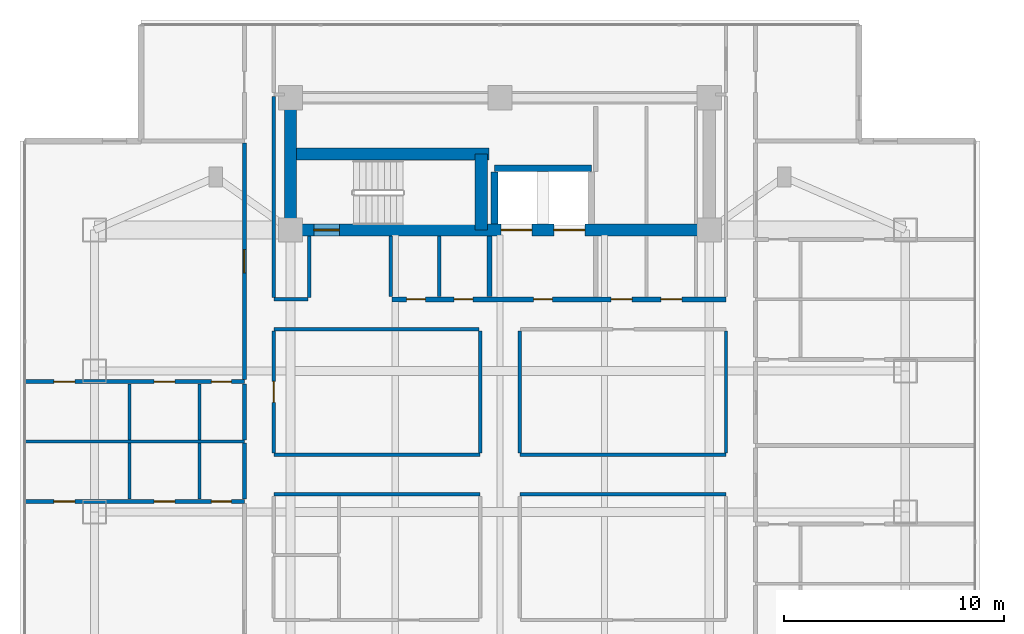
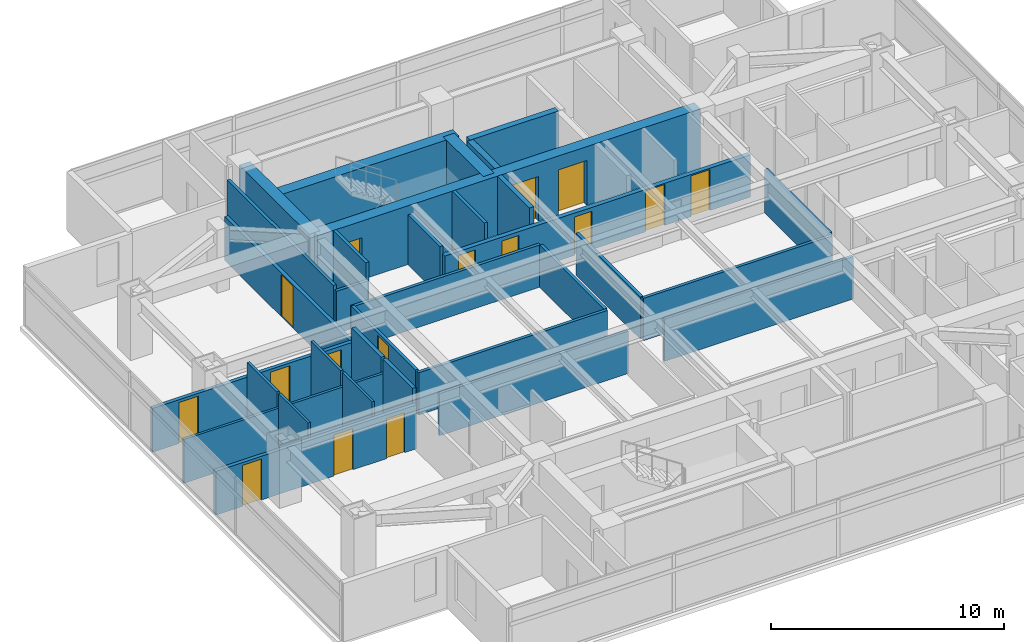
# One storey, part 13 of 24: 32 walls, 16 doors, 16 openings.
"""IFC4 building model written with IfcOpenShell, lengths in metres."""

from ifc_helpers import new_model, si_unit, direction, frame, frame_2d, origin, place, context, subcontext, project, spatial, rectangle, extrude, material, layer, layer_set, type_object, element, fill, save


model = new_model("IFC4")

# Units and contexts
model_context = context("Model", 3, precision=1e-05, world=origin(), true_north=direction((0.0, 1.0)))
body_context = subcontext(model_context, "Body", "Model", "MODEL_VIEW")
ifc_project = project(units=[si_unit("LENGTHUNIT", "METRE"), si_unit("AREAUNIT", "SQUARE_METRE"), si_unit("VOLUMEUNIT", "CUBIC_METRE"), si_unit("PLANEANGLEUNIT", "RADIAN"), si_unit("MASSUNIT", "GRAM", prefix="KILO")], contexts=[model_context])

# Site, building, storey
site_placement = place(None, origin())
site = spatial("IfcSite", under=ifc_project, at=site_placement, CompositionType="ELEMENT")
building_placement = place(site_placement, origin())
building = spatial("IfcBuilding", under=site, at=building_placement, Name="Mirazonda Arch Towers", CompositionType="ELEMENT")
storey_placement = place(building_placement, frame((0.0, 0.0, 137.89990234375)))
storey = spatial("IfcBuildingStorey", under=building, at=storey_placement, Name="L39", CompositionType="ELEMENT", Elevation=137.89990234375)

# Wall
ifc_material_1 = material(Name="Concrete C50/60", Category="concrete")
ifc_layer_1 = layer(ifc_material_1, 0.550048828125, Name="WALL-CORE-550")
ifc_layer_set_1 = layer_set([ifc_layer_1], Name="Concrete C50/60")
wall_type_1 = type_object("IfcWallType", Name="WALL-CORE-550", PredefinedType="SHEAR", material=ifc_layer_set_1)
wall_1_placement = place(storey_placement, frame((11.0, 37.60009765625, 0.0), z_axis=(0.0, 0.0, 1.0), x_axis=(0.0, 1.0, 0.0)))
element("IfcWall", 1, at=wall_1_placement, inside=storey, type_object=wall_type_1, Name="L39 T1N-W Core Shear Wall", PredefinedType="SHEAR", context=body_context, shape_type="SweptSolid", body=[
    extrude(rectangle(XDim=6.0, YDim=0.550048828125, at=frame_2d((3.0, 0.0))), origin(), (0.0, 0.0, 1.0), 3.080078125),
])

# Wall, openings, doors
wall_2_placement = place(storey_placement, frame((11.0, 37.60009765625, 0.0), z_axis=(0.0, 0.0, 1.0), x_axis=(1.0, 0.0, 0.0)))
wall_2 = element("IfcWall", 2, at=wall_2_placement, inside=storey, type_object=wall_type_1, Name="L39 T1N-S Core Shear Wall", PredefinedType="SHEAR", context=body_context, shape_type="SweptSolid", body=[
    extrude(rectangle(XDim=19.0, YDim=0.550048828125, at=frame_2d((9.5, 0.0))), origin(), (0.0, 0.0, 1.0), 3.080078125),
])
opening_1_placement = place(wall_2_placement, frame((1.06005859375, 0.0, 0.0)))
opening_1 = element("IfcOpeningElement", 3, at=opening_1_placement, cuts=wall_2, Name="Opening DR-135", PredefinedType="OPENING", context=body_context, shape_type="SweptSolid", body=[
    extrude(rectangle(XDim=1.14990234375, YDim=2.199951171875, at=frame_2d((0.574951171875, 1.10009765625))), frame((0.0, 0.284912109375, 0.0), z_axis=(0.0, -1.0, 0.0), x_axis=(1.0, 0.0, 0.0)), (0.0, 0.0, 1.0), 0.570068359375),
])
opening_2_placement = place(wall_2_placement, frame((9.550048828125, 0.0, 0.0)))
opening_2 = element("IfcOpeningElement", 4, at=opening_2_placement, cuts=wall_2, Name="Opening LD-112", PredefinedType="OPENING", context=body_context, shape_type="SweptSolid", body=[
    extrude(rectangle(XDim=1.39990234375, YDim=2.35009765625, at=frame_2d((0.699951171875, 1.175048828125))), frame((0.0, 0.284912109375, 0.0), z_axis=(0.0, -1.0, 0.0), x_axis=(1.0, 0.0, 0.0)), (0.0, 0.0, 1.0), 0.570068359375),
])
opening_3_placement = place(wall_2_placement, frame((11.949951171875, 0.0, 0.0)))
opening_3 = element("IfcOpeningElement", 5, at=opening_3_placement, cuts=wall_2, Name="Opening LD-112", PredefinedType="OPENING", context=body_context, shape_type="SweptSolid", body=[
    extrude(rectangle(XDim=1.39990234375, YDim=2.35009765625, at=frame_2d((0.699951171875, 1.175048828125))), frame((0.0, 0.284912109375, 0.0), z_axis=(0.0, -1.0, 0.0), x_axis=(1.0, 0.0, 0.0)), (0.0, 0.0, 1.0), 0.570068359375),
])
ifc_material_2 = material(Name="Architectural Brushed Steel S355", Category="steel")
door_type_1 = type_object("IfcDoorType", Name="DOOR-LIFT-FFL-1400", OperationType="NOTDEFINED", PredefinedType="DOOR", material=ifc_material_2)
door_1_placement = place(opening_2_placement, origin())
door_1 = element("IfcDoor", 6, at=door_1_placement, inside=storey, type_object=door_type_1, Name="L39 Lift Landing Sliding Door FFL-T1", OperationType="DOUBLE_DOOR_SLIDING", OverallHeight=2.35009765625, OverallWidth=1.39990234375, PredefinedType="DOOR", context=body_context, shape_type="SweptSolid", body=[
    extrude(rectangle(XDim=1.39990234375, YDim=2.35009765625, at=frame_2d((0.699951171875, 1.175048828125))), frame((0.0, 0.02490234375, 0.0), z_axis=(0.0, -1.0, 0.0), x_axis=(1.0, 0.0, 0.0)), (0.0, 0.0, 1.0), 0.050048828125),
])
fill(opening_2, door_1)
door_2_placement = place(opening_3_placement, origin())
door_2 = element("IfcDoor", 7, at=door_2_placement, inside=storey, type_object=door_type_1, Name="L39 Lift Landing Sliding Door SVL-T1", OperationType="DOUBLE_DOOR_SLIDING", OverallHeight=2.35009765625, OverallWidth=1.39990234375, PredefinedType="DOOR", context=body_context, shape_type="SweptSolid", body=[
    extrude(rectangle(XDim=1.39990234375, YDim=2.35009765625, at=frame_2d((0.699951171875, 1.175048828125))), frame((0.0, 0.02490234375, 0.0), z_axis=(0.0, -1.0, 0.0), x_axis=(1.0, 0.0, 0.0)), (0.0, 0.0, 1.0), 0.050048828125),
])
fill(opening_3, door_2)
door_type_2 = type_object("IfcDoorType", Name="DOOR-STAIR-FD90-1150", OperationType="NOTDEFINED", PredefinedType="DOOR", material=ifc_material_2)
door_3_placement = place(opening_1_placement, origin())
door_3 = element("IfcDoor", 8, at=door_3_placement, inside=storey, type_object=door_type_2, Name="L39 Protected Exit Stair North Door", OperationType="SINGLE_SWING_RIGHT", OverallHeight=2.199951171875, OverallWidth=1.14990234375, PredefinedType="DOOR", context=body_context, shape_type="SweptSolid", body=[
    extrude(rectangle(XDim=1.14990234375, YDim=2.199951171875, at=frame_2d((0.574951171875, 1.10009765625))), frame((0.0, 0.02490234375, 0.0), z_axis=(0.0, -1.0, 0.0), x_axis=(1.0, 0.0, 0.0)), (0.0, 0.0, 1.0), 0.050048828125),
])
fill(opening_1, door_3)

# Walls
wall_3_placement = place(storey_placement, frame((11.0, 41.04296875, 0.0), z_axis=(0.0, 0.0, 1.0), x_axis=(1.0, 0.0, 0.0)))
element("IfcWall", 9, at=wall_3_placement, inside=storey, type_object=wall_type_1, Name="L39 T1N-STN Core Shear Wall", PredefinedType="SHEAR", context=body_context, shape_type="SweptSolid", body=[
    extrude(rectangle(XDim=9.0, YDim=0.550048828125, at=frame_2d((4.5, 0.0))), origin(), (0.0, 0.0, 1.0), 3.080078125),
])
wall_4_placement = place(storey_placement, frame((19.64990234375, 37.60009765625, 0.0), z_axis=(0.0, 0.0, 1.0), x_axis=(0.0, 1.0, 0.0)))
element("IfcWall", 10, at=wall_4_placement, inside=storey, type_object=wall_type_1, Name="L39 T1N-STE Core Shear Wall", PredefinedType="SHEAR", context=body_context, shape_type="SweptSolid", body=[
    extrude(rectangle(XDim=3.44287109375, YDim=0.550048828125, at=frame_2d((1.721435546875, 0.0))), origin(), (0.0, 0.0, 1.0), 3.080078125),
])

# Wall, openings, doors
ifc_material_3 = material(Name="Concrete C40/50", Category="concrete")
ifc_layer_2 = layer(ifc_material_3, 0.219970703125, Name="WALL-FFL-220")
ifc_layer_set_2 = layer_set([ifc_layer_2], Name="Concrete C40/50")
wall_type_2 = type_object("IfcWallType", Name="WALL-FFL-220", PredefinedType="SOLIDWALL", material=ifc_layer_set_2)
wall_5_placement = place(storey_placement, frame((15.590087890625, 34.449951171875, 0.0), z_axis=(0.0, 0.0, 1.0), x_axis=(1.0, 0.0, 0.0)))
wall_5 = element("IfcWall", 11, at=wall_5_placement, inside=storey, type_object=wall_type_2, Name="L39 Interior Partition 047", PredefinedType="SOLIDWALL", context=body_context, shape_type="SweptSolid", body=[
    extrude(rectangle(XDim=15.169921875, YDim=0.219970703125, at=frame_2d((7.5849609375, 0.0))), origin(), (0.0, 0.0, 1.0), 2.216064453125),
])
opening_4_placement = place(wall_5_placement, frame((6.43505859375, 0.0, 0.0)))
opening_4 = element("IfcOpeningElement", 12, at=opening_4_placement, cuts=wall_5, Name="Opening DR-128", PredefinedType="OPENING", context=body_context, shape_type="SweptSolid", body=[
    extrude(rectangle(XDim=0.85009765625, YDim=2.010009765625, at=frame_2d((0.425048828125, 1.0048828125))), frame((0.0, 0.119873046875, 0.0), z_axis=(0.0, -1.0, 0.0), x_axis=(1.0, 0.0, 0.0)), (0.0, 0.0, 1.0), 0.239990234375),
])
opening_5_placement = place(wall_5_placement, frame((9.9599609375, 0.0, 0.0)))
opening_5 = element("IfcOpeningElement", 13, at=opening_5_placement, cuts=wall_5, Name="Opening DR-104", PredefinedType="OPENING", context=body_context, shape_type="SweptSolid", body=[
    extrude(rectangle(XDim=0.949951171875, YDim=2.14990234375, at=frame_2d((0.47509765625, 1.074951171875))), frame((0.0, 0.119873046875, 0.0), z_axis=(0.0, -1.0, 0.0), x_axis=(1.0, 0.0, 0.0)), (0.0, 0.0, 1.0), 0.239990234375),
])
opening_6_placement = place(wall_5_placement, frame((12.2099609375, 0.0, 0.0)))
opening_6 = element("IfcOpeningElement", 14, at=opening_6_placement, cuts=wall_5, Name="Opening DR-104", PredefinedType="OPENING", context=body_context, shape_type="SweptSolid", body=[
    extrude(rectangle(XDim=0.949951171875, YDim=2.14990234375, at=frame_2d((0.47509765625, 1.074951171875))), frame((0.0, 0.119873046875, 0.0), z_axis=(0.0, -1.0, 0.0), x_axis=(1.0, 0.0, 0.0)), (0.0, 0.0, 1.0), 0.239990234375),
])
opening_7_placement = place(wall_5_placement, frame((0.675048828125, 0.0, 0.0)))
opening_7 = element("IfcOpeningElement", 15, at=opening_7_placement, cuts=wall_5, Name="Opening DR-128", PredefinedType="OPENING", context=body_context, shape_type="SweptSolid", body=[
    extrude(rectangle(XDim=0.85009765625, YDim=2.010009765625, at=frame_2d((0.425048828125, 1.0048828125))), frame((0.0, 0.119873046875, 0.0), z_axis=(0.0, -1.0, 0.0), x_axis=(1.0, 0.0, 0.0)), (0.0, 0.0, 1.0), 0.239990234375),
])
opening_8_placement = place(wall_5_placement, frame((2.8349609375, 0.0, 0.0)))
opening_8 = element("IfcOpeningElement", 16, at=opening_8_placement, cuts=wall_5, Name="Opening DR-128", PredefinedType="OPENING", context=body_context, shape_type="SweptSolid", body=[
    extrude(rectangle(XDim=0.85009765625, YDim=2.010009765625, at=frame_2d((0.425048828125, 1.0048828125))), frame((0.0, 0.119873046875, 0.0), z_axis=(0.0, -1.0, 0.0), x_axis=(1.0, 0.0, 0.0)), (0.0, 0.0, 1.0), 0.239990234375),
])
door_type_3 = type_object("IfcDoorType", Name="DOOR-RISER-FD60-850", OperationType="NOTDEFINED", PredefinedType="DOOR", material=ifc_material_2)
door_4_placement = place(opening_4_placement, origin())
door_4 = element("IfcDoor", 17, at=door_4_placement, inside=storey, type_object=door_type_3, Name="L39 Firefighting Lift Lobby Door", OperationType="SINGLE_SWING_LEFT", OverallHeight=2.010009765625, OverallWidth=0.85009765625, PredefinedType="DOOR", context=body_context, shape_type="SweptSolid", body=[
    extrude(rectangle(XDim=0.85009765625, YDim=2.010009765625, at=frame_2d((0.425048828125, 1.0048828125))), frame((0.0, 0.02490234375, 0.0), z_axis=(0.0, -1.0, 0.0), x_axis=(1.0, 0.0, 0.0)), (0.0, 0.0, 1.0), 0.050048828125),
])
fill(opening_4, door_4)
door_5_placement = place(opening_7_placement, origin())
door_5 = element("IfcDoor", 18, at=door_5_placement, inside=storey, type_object=door_type_3, Name="L39 Electrical Room Door", OperationType="SINGLE_SWING_RIGHT", OverallHeight=2.010009765625, OverallWidth=0.85009765625, PredefinedType="DOOR", context=body_context, shape_type="SweptSolid", body=[
    extrude(rectangle(XDim=0.85009765625, YDim=2.010009765625, at=frame_2d((0.425048828125, 1.0048828125))), frame((0.0, 0.02490234375, 0.0), z_axis=(0.0, -1.0, 0.0), x_axis=(1.0, 0.0, 0.0)), (0.0, 0.0, 1.0), 0.050048828125),
])
fill(opening_7, door_5)
door_6_placement = place(opening_8_placement, origin())
door_6 = element("IfcDoor", 19, at=door_6_placement, inside=storey, type_object=door_type_3, Name="L39 Cleaners & Housekeeping Store Door", OperationType="SINGLE_SWING_LEFT", OverallHeight=2.010009765625, OverallWidth=0.85009765625, PredefinedType="DOOR", context=body_context, shape_type="SweptSolid", body=[
    extrude(rectangle(XDim=0.85009765625, YDim=2.010009765625, at=frame_2d((0.425048828125, 1.0048828125))), frame((0.0, 0.02490234375, 0.0), z_axis=(0.0, -1.0, 0.0), x_axis=(1.0, 0.0, 0.0)), (0.0, 0.0, 1.0), 0.050048828125),
])
fill(opening_8, door_6)
door_type_4 = type_object("IfcDoorType", Name="DOOR-ROOM-950", OperationType="NOTDEFINED", PredefinedType="DOOR", material=ifc_material_2)
door_7_placement = place(opening_5_placement, origin())
door_7 = element("IfcDoor", 20, at=door_7_placement, inside=storey, type_object=door_type_4, Name="L39 Executive Reading Library Door", OperationType="SINGLE_SWING_RIGHT", OverallHeight=2.14990234375, OverallWidth=0.949951171875, PredefinedType="DOOR", context=body_context, shape_type="SweptSolid", body=[
    extrude(rectangle(XDim=0.949951171875, YDim=2.14990234375, at=frame_2d((0.47509765625, 1.074951171875))), frame((0.0, 0.02490234375, 0.0), z_axis=(0.0, -1.0, 0.0), x_axis=(1.0, 0.0, 0.0)), (0.0, 0.0, 1.0), 0.050048828125),
])
fill(opening_5, door_7)
door_8_placement = place(opening_6_placement, origin())
door_8 = element("IfcDoor", 21, at=door_8_placement, inside=storey, type_object=door_type_4, Name="L39 Private Quiet Study Door", OperationType="SINGLE_SWING_LEFT", OverallHeight=2.14990234375, OverallWidth=0.949951171875, PredefinedType="DOOR", context=body_context, shape_type="SweptSolid", body=[
    extrude(rectangle(XDim=0.949951171875, YDim=2.14990234375, at=frame_2d((0.47509765625, 1.074951171875))), frame((0.0, 0.02490234375, 0.0), z_axis=(0.0, -1.0, 0.0), x_axis=(1.0, 0.0, 0.0)), (0.0, 0.0, 1.0), 0.050048828125),
])
fill(opening_6, door_8)

# Walls
wall_6_placement = place(storey_placement, frame((20.02490234375, 34.570068359375, 0.0), z_axis=(0.0, 0.0, 1.0), x_axis=(0.0, 1.0, 0.0)))
element("IfcWall", 22, at=wall_6_placement, inside=storey, type_object=wall_type_2, Name="L39 Interior Partition 088", PredefinedType="SOLIDWALL", context=body_context, shape_type="SweptSolid", body=[
    extrude(rectangle(XDim=2.760009765625, YDim=0.219970703125, at=frame_2d((1.3798828125, 0.0))), origin(), (0.0, 0.0, 1.0), 3.080078125),
])
ifc_material_4 = material(Name="Fire-Rated Gypsum Stud Partition")
ifc_layer_3 = layer(ifc_material_4, 0.14990234375, Name="WALL-PART-CORR-150")
ifc_layer_set_3 = layer_set([ifc_layer_3], Name="Fire-Rated Gypsum Stud Partition")
wall_type_3 = type_object("IfcWallType", Name="WALL-PART-CORR-150", PredefinedType="PARTITIONING", material=ifc_layer_set_3)
for number, where, z_axis, x_axis, name in (
    (23, (10.239990234375, 25.60009765625, 0.0), (0.0, 0.0, 1.0), (1.0, 0.0, 0.0), "L39 Interior Partition 029"),
    (24, (21.39990234375, 25.60009765625, 0.0), (0.0, 0.0, 1.0), (1.0, 0.0, 0.0), "L39 Interior Partition 030"),
    (25, (10.239990234375, 27.39990234375, 0.0), (0.0, 0.0, 1.0), (1.0, 0.0, 0.0), "L39 Interior Partition 032"),
    (26, (21.39990234375, 27.39990234375, 0.0), (0.0, 0.0, 1.0), (1.0, 0.0, 0.0), "L39 Interior Partition 033"),
):
    element("IfcWall", number, at=place(storey_placement, frame(where, z_axis=z_axis, x_axis=x_axis)), inside=storey, type_object=wall_type_3, Name=name, PredefinedType="PARTITIONING", context=body_context, shape_type="SweptSolid", body=[
        extrude(rectangle(XDim=9.360107421875, YDim=0.14990234375, at=frame_2d((4.68017578125, 0.0))), origin(), (0.0, 0.0, 1.0), 2.216064453125),
    ])
wall_7_placement = place(storey_placement, frame((10.239990234375, 33.10009765625, 0.0), z_axis=(0.0, 0.0, 1.0), x_axis=(1.0, 0.0, 0.0)))
element("IfcWall", 27, at=wall_7_placement, inside=storey, type_object=wall_type_3, Name="L39 Interior Partition 044", PredefinedType="PARTITIONING", context=body_context, shape_type="SweptSolid", body=[
    extrude(rectangle(XDim=9.320068359375, YDim=0.14990234375, at=frame_2d((4.66015625, 0.0))), origin(), (0.0, 0.0, 1.0), 2.216064453125),
])
wall_8_placement = place(storey_placement, frame((10.239990234375, 34.449951171875, 0.0), z_axis=(0.0, 0.0, 1.0), x_axis=(1.0, 0.0, 0.0)))
element("IfcWall", 28, at=wall_8_placement, inside=storey, type_object=wall_type_3, Name="L39 Interior Partition 046", PredefinedType="PARTITIONING", context=body_context, shape_type="SweptSolid", body=[
    extrude(rectangle(XDim=1.56005859375, YDim=0.14990234375, at=frame_2d((0.780029296875, 0.0))), origin(), (0.0, 0.0, 1.0), 2.216064453125),
])

# Wall, opening, door
wall_9_placement = place(storey_placement, frame((10.239990234375, 27.485107421875, 0.0), z_axis=(0.0, 0.0, 1.0), x_axis=(0.0, 1.0, 0.0)))
wall_9 = element("IfcWall", 29, at=wall_9_placement, inside=storey, type_object=wall_type_3, Name="L39 Interior Partition 076", PredefinedType="PARTITIONING", context=body_context, shape_type="SweptSolid", body=[
    extrude(rectangle(XDim=5.52978515625, YDim=0.14990234375, at=frame_2d((2.764892578125, 0.0))), origin(), (0.0, 0.0, 1.0), 2.299072265625),
])
opening_9_placement = place(wall_9_placement, frame((2.2900390625, 0.0, 0.0)))
opening_9 = element("IfcOpeningElement", 30, at=opening_9_placement, cuts=wall_9, Name="Opening DR-104", PredefinedType="OPENING", context=body_context, shape_type="SweptSolid", body=[
    extrude(rectangle(XDim=0.949951171875, YDim=2.14990234375, at=frame_2d((0.47509765625, 1.074951171875))), frame((0.0, 0.0849609375, 0.0), z_axis=(0.0, -1.0, 0.0), x_axis=(1.0, 0.0, 0.0)), (0.0, 0.0, 1.0), 0.169921875),
])
door_9_placement = place(opening_9_placement, origin())
door_9 = element("IfcDoor", 31, at=door_9_placement, inside=storey, type_object=door_type_4, Name="L39 L39 West Courtyard Reading Salon Door", OperationType="SINGLE_SWING_RIGHT", OverallHeight=2.14990234375, OverallWidth=0.949951171875, PredefinedType="DOOR", context=body_context, shape_type="SweptSolid", body=[
    extrude(rectangle(XDim=0.949951171875, YDim=2.14990234375, at=frame_2d((0.47509765625, 1.074951171875))), frame((0.0, 0.02490234375, 0.0), z_axis=(0.0, -1.0, 0.0), x_axis=(1.0, 0.0, 0.0)), (0.0, 0.0, 1.0), 0.050048828125),
])
fill(opening_9, door_9)

# Walls
wall_10_placement = place(storey_placement, frame((10.239990234375, 34.534912109375, 0.0), z_axis=(0.0, 0.0, 1.0), x_axis=(0.0, 1.0, 0.0)))
element("IfcWall", 32, at=wall_10_placement, inside=storey, type_object=wall_type_3, Name="L39 Interior Partition 077", PredefinedType="PARTITIONING", context=body_context, shape_type="SweptSolid", body=[
    extrude(rectangle(XDim=9.130126953125, YDim=0.14990234375, at=frame_2d((4.56494140625, 0.0))), origin(), (0.0, 0.0, 1.0), 2.4560546875),
])
wall_11_placement = place(storey_placement, frame((11.85009765625, 34.534912109375, 0.0), z_axis=(0.0, 0.0, 1.0), x_axis=(0.0, 1.0, 0.0)))
element("IfcWall", 33, at=wall_11_placement, inside=storey, type_object=wall_type_3, Name="L39 Interior Partition 079", PredefinedType="PARTITIONING", context=body_context, shape_type="SweptSolid", body=[
    extrude(rectangle(XDim=2.795166015625, YDim=0.14990234375, at=frame_2d((1.3974609375, 0.0))), origin(), (0.0, 0.0, 1.0), 3.080078125),
])
wall_12_placement = place(storey_placement, frame((15.550048828125, 34.570068359375, 0.0), z_axis=(0.0, 0.0, 1.0), x_axis=(0.0, 1.0, 0.0)))
element("IfcWall", 34, at=wall_12_placement, inside=storey, type_object=wall_type_3, Name="L39 Interior Partition 082", PredefinedType="PARTITIONING", context=body_context, shape_type="SweptSolid", body=[
    extrude(rectangle(XDim=2.760009765625, YDim=0.14990234375, at=frame_2d((1.3798828125, 0.0))), origin(), (0.0, 0.0, 1.0), 2.609130859375),
])
wall_13_placement = place(storey_placement, frame((17.75, 34.570068359375, 0.0), z_axis=(0.0, 0.0, 1.0), x_axis=(0.0, 1.0, 0.0)))
element("IfcWall", 35, at=wall_13_placement, inside=storey, type_object=wall_type_3, Name="L39 Interior Partition 084", PredefinedType="PARTITIONING", context=body_context, shape_type="SweptSolid", body=[
    extrude(rectangle(XDim=2.760009765625, YDim=0.14990234375, at=frame_2d((1.3798828125, 0.0))), origin(), (0.0, 0.0, 1.0), 3.080078125),
])
for number, where, z_axis, x_axis, name in (
    (36, (19.60009765625, 27.485107421875, 0.0), (0.0, 0.0, 1.0), (0.0, 1.0, 0.0), "L39 Interior Partition 086"),
    (37, (21.39990234375, 27.485107421875, 0.0), (0.0, 0.0, 1.0), (0.0, 1.0, 0.0), "L39 Interior Partition 093"),
):
    element("IfcWall", number, at=place(storey_placement, frame(where, z_axis=z_axis, x_axis=x_axis)), inside=storey, type_object=wall_type_3, Name=name, PredefinedType="PARTITIONING", context=body_context, shape_type="SweptSolid", body=[
        extrude(rectangle(XDim=5.52978515625, YDim=0.14990234375, at=frame_2d((2.764892578125, 0.0))), origin(), (0.0, 0.0, 1.0), 2.216064453125),
    ])
wall_14_placement = place(storey_placement, frame((30.760009765625, 27.485107421875, 0.0), z_axis=(0.0, 0.0, 1.0), x_axis=(0.0, 1.0, 0.0)))
element("IfcWall", 38, at=wall_14_placement, inside=storey, type_object=wall_type_3, Name="L39 Interior Partition 107", PredefinedType="PARTITIONING", context=body_context, shape_type="SweptSolid", body=[
    extrude(rectangle(XDim=5.52978515625, YDim=0.14990234375, at=frame_2d((2.764892578125, 0.0))), origin(), (0.0, 0.0, 1.0), 2.299072265625),
])

# Wall, openings, doors
ifc_material_5 = material(Name="Fire-Rated Gypsum Twin-Stud Assembly")
ifc_layer_4 = layer(ifc_material_5, 0.179931640625, Name="WALL-PART-DEMISE-180")
ifc_layer_set_4 = layer_set([ifc_layer_4], Name="Fire-Rated Gypsum Twin-Stud Assembly")
wall_type_4 = type_object("IfcWallType", Name="WALL-PART-DEMISE-180", PredefinedType="PARTITIONING", material=ifc_layer_set_4)
wall_15_placement = place(storey_placement, frame((-1.06005859375, 25.280029296875, 0.0), z_axis=(0.0, 0.0, 1.0), x_axis=(1.0, 0.0, 0.0)))
wall_15 = element("IfcWall", 39, at=wall_15_placement, inside=storey, type_object=wall_type_4, Name="L39 Interior Partition 028", PredefinedType="PARTITIONING", context=body_context, shape_type="SweptSolid", body=[
    extrude(rectangle(XDim=9.9599609375, YDim=0.179931640625, at=frame_2d((4.97998046875, 0.0))), origin(), (0.0, 0.0, 1.0), 2.299072265625),
])
opening_10_placement = place(wall_15_placement, frame((1.321044921875, 0.0, 0.0)))
opening_10 = element("IfcOpeningElement", 40, at=opening_10_placement, cuts=wall_15, Name="Opening DR-104", PredefinedType="OPENING", context=body_context, shape_type="SweptSolid", body=[
    extrude(rectangle(XDim=0.949951171875, YDim=2.14990234375, at=frame_2d((0.47509765625, 1.074951171875))), frame((0.0, 0.099853515625, 0.0), z_axis=(0.0, -1.0, 0.0), x_axis=(1.0, 0.0, 0.0)), (0.0, 0.0, 1.0), 0.199951171875),
])
opening_11_placement = place(wall_15_placement, frame((5.861083984375, 0.0, 0.0)))
opening_11 = element("IfcOpeningElement", 41, at=opening_11_placement, cuts=wall_15, Name="Opening DR-104", PredefinedType="OPENING", context=body_context, shape_type="SweptSolid", body=[
    extrude(rectangle(XDim=0.949951171875, YDim=2.14990234375, at=frame_2d((0.47509765625, 1.074951171875))), frame((0.0, 0.099853515625, 0.0), z_axis=(0.0, -1.0, 0.0), x_axis=(1.0, 0.0, 0.0)), (0.0, 0.0, 1.0), 0.199951171875),
])
opening_12_placement = place(wall_15_placement, frame((8.469970703125, 0.0, 0.0)))
opening_12 = element("IfcOpeningElement", 42, at=opening_12_placement, cuts=wall_15, Name="Opening DR-120", PredefinedType="OPENING", context=body_context, shape_type="SweptSolid", body=[
    extrude(rectangle(XDim=0.89990234375, YDim=2.10009765625, at=frame_2d((0.449951171875, 1.050048828125))), frame((0.0, 0.099853515625, 0.0), z_axis=(0.0, -1.0, 0.0), x_axis=(1.0, 0.0, 0.0)), (0.0, 0.0, 1.0), 0.199951171875),
])
door_10_placement = place(opening_10_placement, origin())
door_10 = element("IfcDoor", 43, at=door_10_placement, inside=storey, type_object=door_type_4, Name="L39 Residence 1 Principal Bedroom Door", OperationType="SINGLE_SWING_RIGHT", OverallHeight=2.14990234375, OverallWidth=0.949951171875, PredefinedType="DOOR", context=body_context, shape_type="SweptSolid", body=[
    extrude(rectangle(XDim=0.949951171875, YDim=2.14990234375, at=frame_2d((0.47509765625, 1.074951171875))), frame((0.0, 0.02490234375, 0.0), z_axis=(0.0, -1.0, 0.0), x_axis=(1.0, 0.0, 0.0)), (0.0, 0.0, 1.0), 0.050048828125),
])
fill(opening_10, door_10)
door_11_placement = place(opening_11_placement, origin())
door_11 = element("IfcDoor", 44, at=door_11_placement, inside=storey, type_object=door_type_4, Name="L39 Residence 1 Fitted Kitchen Door", OperationType="SINGLE_SWING_LEFT", OverallHeight=2.14990234375, OverallWidth=0.949951171875, PredefinedType="DOOR", context=body_context, shape_type="SweptSolid", body=[
    extrude(rectangle(XDim=0.949951171875, YDim=2.14990234375, at=frame_2d((0.47509765625, 1.074951171875))), frame((0.0, 0.02490234375, 0.0), z_axis=(0.0, -1.0, 0.0), x_axis=(1.0, 0.0, 0.0)), (0.0, 0.0, 1.0), 0.050048828125),
])
fill(opening_11, door_11)
door_type_5 = type_object("IfcDoorType", Name="DOOR-WC-900", OperationType="NOTDEFINED", PredefinedType="DOOR", material=ifc_material_2)
door_12_placement = place(opening_12_placement, origin())
door_12 = element("IfcDoor", 45, at=door_12_placement, inside=storey, type_object=door_type_5, Name="L39 Residence 1 Bathroom Door", OperationType="SINGLE_SWING_RIGHT", OverallHeight=2.10009765625, OverallWidth=0.89990234375, PredefinedType="DOOR", context=body_context, shape_type="SweptSolid", body=[
    extrude(rectangle(XDim=0.89990234375, YDim=2.10009765625, at=frame_2d((0.449951171875, 1.050048828125))), frame((0.0, 0.02490234375, 0.0), z_axis=(0.0, -1.0, 0.0), x_axis=(1.0, 0.0, 0.0)), (0.0, 0.0, 1.0), 0.050048828125),
])
fill(opening_12, door_12)

wall_16_placement = place(storey_placement, frame((-1.06005859375, 30.719970703125, 0.0), z_axis=(0.0, 0.0, 1.0), x_axis=(1.0, 0.0, 0.0)))
wall_16 = element("IfcWall", 46, at=wall_16_placement, inside=storey, type_object=wall_type_4, Name="L39 Interior Partition 039", PredefinedType="PARTITIONING", context=body_context, shape_type="SweptSolid", body=[
    extrude(rectangle(XDim=9.9599609375, YDim=0.179931640625, at=frame_2d((4.97998046875, 0.0))), origin(), (0.0, 0.0, 1.0), 2.299072265625),
])
opening_13_placement = place(wall_16_placement, frame((1.321044921875, 0.0, 0.0)))
opening_13 = element("IfcOpeningElement", 47, at=opening_13_placement, cuts=wall_16, Name="Opening DR-104", PredefinedType="OPENING", context=body_context, shape_type="SweptSolid", body=[
    extrude(rectangle(XDim=0.949951171875, YDim=2.14990234375, at=frame_2d((0.47509765625, 1.074951171875))), frame((0.0, 0.099853515625, 0.0), z_axis=(0.0, -1.0, 0.0), x_axis=(1.0, 0.0, 0.0)), (0.0, 0.0, 1.0), 0.199951171875),
])
opening_14_placement = place(wall_16_placement, frame((5.861083984375, 0.0, 0.0)))
opening_14 = element("IfcOpeningElement", 48, at=opening_14_placement, cuts=wall_16, Name="Opening DR-104", PredefinedType="OPENING", context=body_context, shape_type="SweptSolid", body=[
    extrude(rectangle(XDim=0.949951171875, YDim=2.14990234375, at=frame_2d((0.47509765625, 1.074951171875))), frame((0.0, 0.099853515625, 0.0), z_axis=(0.0, -1.0, 0.0), x_axis=(1.0, 0.0, 0.0)), (0.0, 0.0, 1.0), 0.199951171875),
])
opening_15_placement = place(wall_16_placement, frame((8.469970703125, 0.0, 0.0)))
opening_15 = element("IfcOpeningElement", 49, at=opening_15_placement, cuts=wall_16, Name="Opening DR-120", PredefinedType="OPENING", context=body_context, shape_type="SweptSolid", body=[
    extrude(rectangle(XDim=0.89990234375, YDim=2.10009765625, at=frame_2d((0.449951171875, 1.050048828125))), frame((0.0, 0.099853515625, 0.0), z_axis=(0.0, -1.0, 0.0), x_axis=(1.0, 0.0, 0.0)), (0.0, 0.0, 1.0), 0.199951171875),
])
door_13_placement = place(opening_13_placement, origin())
door_13 = element("IfcDoor", 50, at=door_13_placement, inside=storey, type_object=door_type_4, Name="L39 Residence 2 Principal Bedroom Door", OperationType="SINGLE_SWING_RIGHT", OverallHeight=2.14990234375, OverallWidth=0.949951171875, PredefinedType="DOOR", context=body_context, shape_type="SweptSolid", body=[
    extrude(rectangle(XDim=0.949951171875, YDim=2.14990234375, at=frame_2d((0.47509765625, 1.074951171875))), frame((0.0, 0.02490234375, 0.0), z_axis=(0.0, -1.0, 0.0), x_axis=(1.0, 0.0, 0.0)), (0.0, 0.0, 1.0), 0.050048828125),
])
fill(opening_13, door_13)
door_14_placement = place(opening_14_placement, origin())
door_14 = element("IfcDoor", 51, at=door_14_placement, inside=storey, type_object=door_type_4, Name="L39 Residence 2 Fitted Kitchen Door", OperationType="SINGLE_SWING_LEFT", OverallHeight=2.14990234375, OverallWidth=0.949951171875, PredefinedType="DOOR", context=body_context, shape_type="SweptSolid", body=[
    extrude(rectangle(XDim=0.949951171875, YDim=2.14990234375, at=frame_2d((0.47509765625, 1.074951171875))), frame((0.0, 0.02490234375, 0.0), z_axis=(0.0, -1.0, 0.0), x_axis=(1.0, 0.0, 0.0)), (0.0, 0.0, 1.0), 0.050048828125),
])
fill(opening_14, door_14)
door_15_placement = place(opening_15_placement, origin())
door_15 = element("IfcDoor", 52, at=door_15_placement, inside=storey, type_object=door_type_5, Name="L39 Residence 2 Bathroom Door", OperationType="SINGLE_SWING_RIGHT", OverallHeight=2.10009765625, OverallWidth=0.89990234375, PredefinedType="DOOR", context=body_context, shape_type="SweptSolid", body=[
    extrude(rectangle(XDim=0.89990234375, YDim=2.10009765625, at=frame_2d((0.449951171875, 1.050048828125))), frame((0.0, 0.02490234375, 0.0), z_axis=(0.0, -1.0, 0.0), x_axis=(1.0, 0.0, 0.0)), (0.0, 0.0, 1.0), 0.050048828125),
])
fill(opening_15, door_15)

# Walls
for number, where, z_axis, x_axis, name in (
    (53, (8.89990234375, 25.3798828125, 0.0), (0.0, 0.0, 1.0), (0.0, 1.0, 0.0), "L39 Interior Partition 068"),
    (54, (8.89990234375, 28.072509765625, 0.0), (0.0, 0.0, 1.0), (0.0, 1.0, 0.0), "L39 Interior Partition 069"),
):
    element("IfcWall", number, at=place(storey_placement, frame(where, z_axis=z_axis, x_axis=x_axis)), inside=storey, type_object=wall_type_4, Name=name, PredefinedType="PARTITIONING", context=body_context, shape_type="SweptSolid", body=[
        extrude(rectangle(XDim=2.547607421875, YDim=0.179931640625, at=frame_2d((1.27392578125, 0.0))), origin(), (0.0, 0.0, 1.0), 3.080078125),
    ])

# Wall, opening, door
wall_17_placement = place(storey_placement, frame((8.89990234375, 30.820068359375, 0.0), z_axis=(0.0, 0.0, 1.0), x_axis=(0.0, 1.0, 0.0)))
wall_17 = element("IfcWall", 55, at=wall_17_placement, inside=storey, type_object=wall_type_4, Name="L39 Interior Partition 070", PredefinedType="PARTITIONING", context=body_context, shape_type="SweptSolid", body=[
    extrude(rectangle(XDim=10.718017578125, YDim=0.179931640625, at=frame_2d((5.35888671875, 0.0))), origin(), (0.0, 0.0, 1.0), 2.299072265625),
])
opening_16_placement = place(wall_17_placement, frame((4.833984375, 0.0, 0.0)))
opening_16 = element("IfcOpeningElement", 56, at=opening_16_placement, cuts=wall_17, Name="Opening DR-121", PredefinedType="OPENING", context=body_context, shape_type="SweptSolid", body=[
    extrude(rectangle(XDim=1.050048828125, YDim=2.199951171875, at=frame_2d((0.52490234375, 1.10009765625))), frame((0.0, 0.099853515625, 0.0), z_axis=(0.0, -1.0, 0.0), x_axis=(1.0, 0.0, 0.0)), (0.0, 0.0, 1.0), 0.199951171875),
])
door_type_6 = type_object("IfcDoorType", Name="DOOR-SUITE-FD60-1050", OperationType="NOTDEFINED", PredefinedType="DOOR", material=ifc_material_2)
door_16_placement = place(opening_16_placement, origin())
door_16 = element("IfcDoor", 57, at=door_16_placement, inside=storey, type_object=door_type_6, Name="L39 Penthouse Residence 2 Living & Dining Salon Door", OperationType="SINGLE_SWING_LEFT", OverallHeight=2.199951171875, OverallWidth=1.050048828125, PredefinedType="DOOR", context=body_context, shape_type="SweptSolid", body=[
    extrude(rectangle(XDim=1.050048828125, YDim=2.199951171875, at=frame_2d((0.52490234375, 1.10009765625))), frame((0.0, 0.02490234375, 0.0), z_axis=(0.0, -1.0, 0.0), x_axis=(1.0, 0.0, 0.0)), (0.0, 0.0, 1.0), 0.050048828125),
])
fill(opening_16, door_16)

# Walls
ifc_material_6 = material(Name="Acoustic Fire-Rated Gypsum Partition")
ifc_layer_5 = layer(ifc_material_6, 0.125, Name="WALL-PART-UNIT-125")
ifc_layer_set_5 = layer_set([ifc_layer_5], Name="Acoustic Fire-Rated Gypsum Partition")
wall_type_5 = type_object("IfcWallType", Name="WALL-PART-UNIT-125", PredefinedType="PARTITIONING", material=ifc_layer_set_5)
wall_18_placement = place(storey_placement, frame((-1.06005859375, 28.0, 0.0), z_axis=(0.0, 0.0, 1.0), x_axis=(1.0, 0.0, 0.0)))
element("IfcWall", 58, at=wall_18_placement, inside=storey, type_object=wall_type_5, Name="L39 Interior Partition 036", PredefinedType="PARTITIONING", context=body_context, shape_type="SweptSolid", body=[
    extrude(rectangle(XDim=9.9599609375, YDim=0.125, at=frame_2d((4.97998046875, 0.0))), origin(), (0.0, 0.0, 1.0), 2.299072265625),
])
for number, where, z_axis, x_axis, name in (
    (59, (3.69189453125, 25.3798828125, 0.0), (0.0, 0.0, 1.0), (0.0, 1.0, 0.0), "L39 Interior Partition 062"),
    (60, (3.69189453125, 28.072509765625, 0.0), (0.0, 0.0, 1.0), (0.0, 1.0, 0.0), "L39 Interior Partition 063"),
    (61, (6.860107421875, 25.3798828125, 0.0), (0.0, 0.0, 1.0), (0.0, 1.0, 0.0), "L39 Interior Partition 064"),
    (62, (6.860107421875, 28.072509765625, 0.0), (0.0, 0.0, 1.0), (0.0, 1.0, 0.0), "L39 Interior Partition 065"),
):
    element("IfcWall", number, at=place(storey_placement, frame(where, z_axis=z_axis, x_axis=x_axis)), inside=storey, type_object=wall_type_5, Name=name, PredefinedType="PARTITIONING", context=body_context, shape_type="SweptSolid", body=[
        extrude(rectangle(XDim=2.547607421875, YDim=0.125, at=frame_2d((1.27392578125, 0.0))), origin(), (0.0, 0.0, 1.0), 3.080078125),
    ])
ifc_layer_6 = layer(ifc_material_1, 0.300048828125, Name="WALL-SHAFT-300")
ifc_layer_set_6 = layer_set([ifc_layer_6], Name="Concrete C50/60")
wall_type_6 = type_object("IfcWallType", Name="WALL-SHAFT-300", PredefinedType="SOLIDWALL", material=ifc_layer_set_6)
wall_19_placement = place(storey_placement, frame((20.25, 40.39990234375, 0.0), z_axis=(0.0, 0.0, 1.0), x_axis=(1.0, 0.0, 0.0)))
element("IfcWall", 63, at=wall_19_placement, inside=storey, type_object=wall_type_6, Name="L39 Interior Partition 057", PredefinedType="SOLIDWALL", context=body_context, shape_type="SweptSolid", body=[
    extrude(rectangle(XDim=4.39990234375, YDim=0.300048828125, at=frame_2d((2.199951171875, 0.0))), origin(), (0.0, 0.0, 1.0), 3.080078125),
])
wall_20_placement = place(storey_placement, frame((20.25, 37.8701171875, 0.0), z_axis=(0.0, 0.0, 1.0), x_axis=(0.0, 1.0, 0.0)))
element("IfcWall", 64, at=wall_20_placement, inside=storey, type_object=wall_type_6, Name="L39 Interior Partition 091", PredefinedType="SOLIDWALL", context=body_context, shape_type="SweptSolid", body=[
    extrude(rectangle(XDim=2.369873046875, YDim=0.300048828125, at=frame_2d((1.18505859375, 0.0))), origin(), (0.0, 0.0, 1.0), 3.080078125),
])

save(model, "model.ifc")
